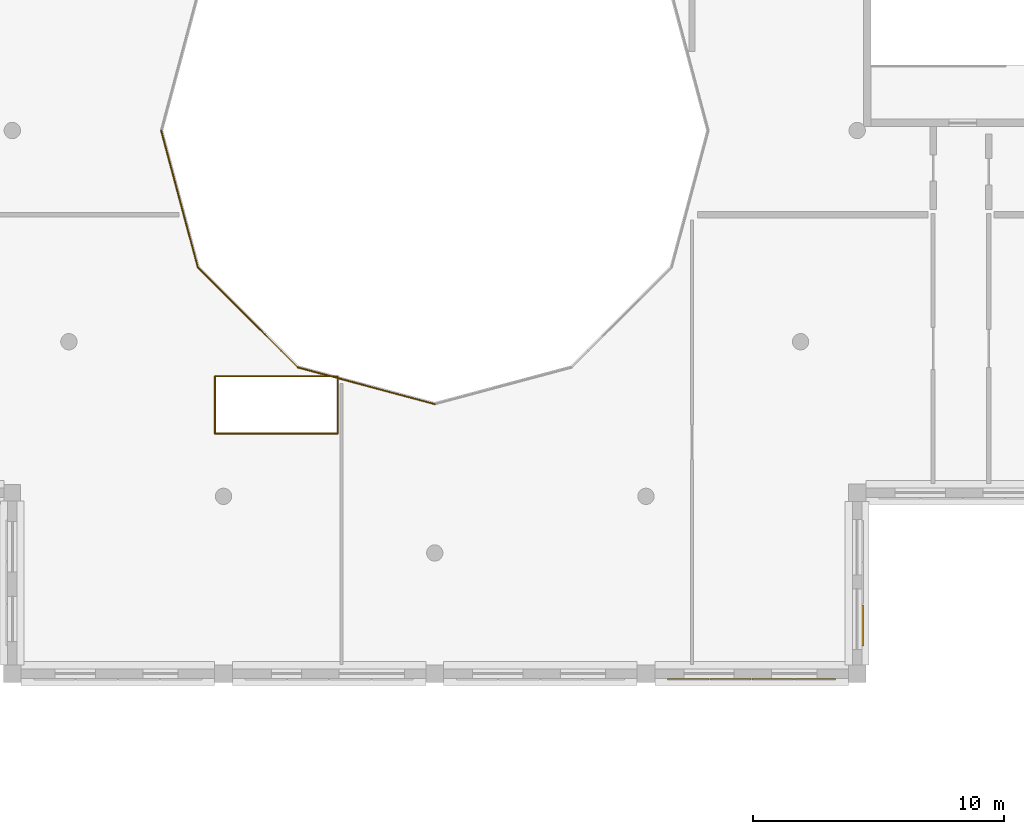
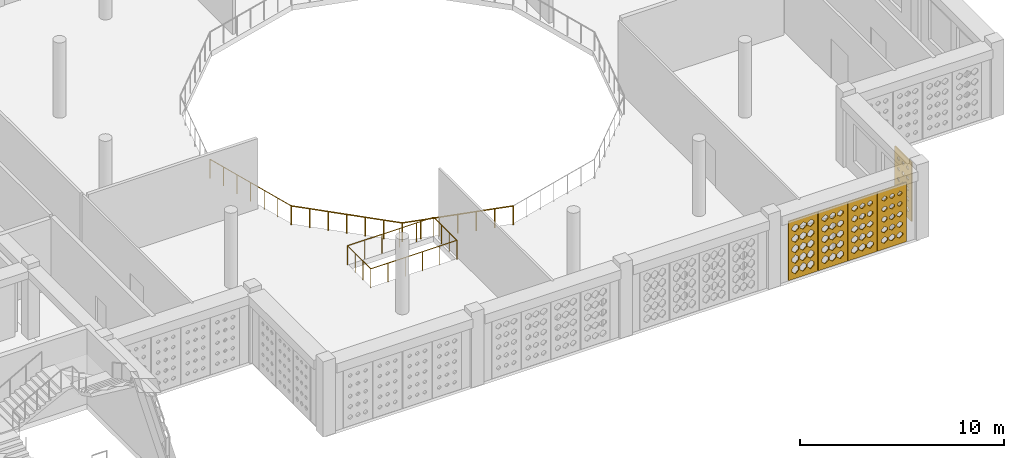
# One storey, part 36 of 47: 7 railings, 5 coverings.
"""IFC4 building model written with IfcOpenShell, lengths in metres."""

from ifc_helpers import new_model, si_unit, derived_unit, direction, frame, origin, origin_2d, place, context, subcontext, project, spatial, polyline, circle, outline, extrude, material, layer, layer_set, type_object, element, save


model = new_model("IFC4")

# Units and contexts
model_context = context("Model", 3, precision=1e-05, world=origin(), true_north=direction((0.0, 1.0)))
body_context = subcontext(model_context, "Body", "Model", "MODEL_VIEW")
ifc_project = project(units=[si_unit("LENGTHUNIT", "METRE"), si_unit("AREAUNIT", "SQUARE_METRE"), si_unit("VOLUMEUNIT", "CUBIC_METRE"), si_unit("PLANEANGLEUNIT", "RADIAN"), si_unit("MASSUNIT", "GRAM", prefix="KILO"), derived_unit("THERMALTRANSMITTANCEUNIT", [(si_unit("POWERUNIT", "WATT"), 1), (si_unit("LENGTHUNIT", "METRE"), -2), (si_unit("THERMODYNAMICTEMPERATUREUNIT", "KELVIN"), -1)])], contexts=[model_context])

# Site, building, storey
site_placement = place(None, origin())
site = spatial("IfcSite", under=ifc_project, at=site_placement, CompositionType="ELEMENT")
building_placement = place(site_placement, origin())
building = spatial("IfcBuilding", under=site, at=building_placement, Name="Veybourne Emporium", CompositionType="ELEMENT")
storey_placement = place(building_placement, frame((0.0, 0.0, 23.39990234375)))
storey = spatial("IfcBuildingStorey", under=building, at=storey_placement, Name="L05", CompositionType="ELEMENT", Elevation=23.39990234375)

# Railings
ifc_material_1 = material(Name="Patinated Architectural Bronze", Category="bronze")
railing_type = type_object("IfcRailingType", Name="Balustrade_BL-01", PredefinedType="BALUSTRADE", material=ifc_material_1)
railing_1_placement = place(storey_placement, frame((64.719970703125, 50.39990234375, 0.0)))
element("IfcRailing", 1, at=railing_1_placement, inside=storey, type_object=railing_type, Name="L05 central atrium void balustrade 07", PredefinedType="BALUSTRADE", context=body_context, shape_type="SweptSolid", body=[
    extrude(circle(Radius=0.02392578125, at=origin_2d()), frame((0.0, 0.0, 1.1259765625), z_axis=(0.258841536762, -0.965919799386, 0.0), x_axis=(0.965919799386, 0.258841536762, 0.0)), (0.0, 0.0, 1.0), 5.6318359375),
    extrude(circle(Radius=0.02099609375, at=origin_2d()), origin(), (0.0, 0.0, 1.0), 1.101806640625),
    extrude(circle(Radius=0.02099609375, at=origin_2d()), frame((0.242919921875, -0.90673828125, 0.0)), (0.0, 0.0, 1.0), 1.101806640625),
    extrude(circle(Radius=0.02099609375, at=origin_2d()), frame((0.48583984375, -1.813232421875, 0.0)), (0.0, 0.0, 1.0), 1.101806640625),
    extrude(circle(Radius=0.02099609375, at=origin_2d()), frame((0.72900390625, -2.719970703125, 0.0)), (0.0, 0.0, 1.0), 1.101806640625),
    extrude(circle(Radius=0.02099609375, at=origin_2d()), frame((0.971923828125, -3.626708984375, 0.0)), (0.0, 0.0, 1.0), 1.101806640625),
    extrude(circle(Radius=0.02099609375, at=origin_2d()), frame((1.21484375, -4.533203125, 0.0)), (0.0, 0.0, 1.0), 1.101806640625),
    extrude(circle(Radius=0.02099609375, at=origin_2d()), frame((1.457763671875, -5.43994140625, 0.0)), (0.0, 0.0, 1.0), 1.101806640625),
])
railing_2_placement = place(storey_placement, frame((66.177734375, 44.9599609375, 0.0)))
element("IfcRailing", 2, at=railing_2_placement, inside=storey, type_object=railing_type, Name="L05 central atrium void balustrade 08", PredefinedType="BALUSTRADE", context=body_context, shape_type="SweptSolid", body=[
    extrude(circle(Radius=0.02392578125, at=origin_2d()), frame((0.0, 0.0, 1.1259765625), z_axis=(0.707085105755, -0.707128455954, 0.0), x_axis=(0.707128455954, 0.707085105755, 0.0)), (0.0, 0.0, 1.0), 5.6318359375),
    extrude(circle(Radius=0.02099609375, at=origin_2d()), origin(), (0.0, 0.0, 1.0), 1.101806640625),
    extrude(circle(Radius=0.02099609375, at=origin_2d()), frame((0.66357421875, -0.663818359375, 0.0)), (0.0, 0.0, 1.0), 1.101806640625),
    extrude(circle(Radius=0.02099609375, at=origin_2d()), frame((1.327392578125, -1.327392578125, 0.0)), (0.0, 0.0, 1.0), 1.101806640625),
    extrude(circle(Radius=0.02099609375, at=origin_2d()), frame((1.9912109375, -1.9912109375, 0.0)), (0.0, 0.0, 1.0), 1.101806640625),
    extrude(circle(Radius=0.02099609375, at=origin_2d()), frame((2.65478515625, -2.655029296875, 0.0)), (0.0, 0.0, 1.0), 1.101806640625),
    extrude(circle(Radius=0.02099609375, at=origin_2d()), frame((3.318359375, -3.318603515625, 0.0)), (0.0, 0.0, 1.0), 1.101806640625),
    extrude(circle(Radius=0.02099609375, at=origin_2d()), frame((3.982177734375, -3.982421875, 0.0)), (0.0, 0.0, 1.0), 1.101806640625),
])
railing_3_placement = place(storey_placement, frame((70.159912109375, 40.9775390625, 0.0)))
element("IfcRailing", 3, at=railing_3_placement, inside=storey, type_object=railing_type, Name="L05 central atrium void balustrade 09", PredefinedType="BALUSTRADE", context=body_context, shape_type="SweptSolid", body=[
    extrude(circle(Radius=0.02392578125, at=origin_2d()), frame((0.0, 0.0, 1.1259765625), z_axis=(0.965933540312, -0.25879025426, 0.0), x_axis=(0.25879025426, 0.965933540312, 0.0)), (0.0, 0.0, 1.0), 5.632080078125),
    extrude(circle(Radius=0.02099609375, at=origin_2d()), origin(), (0.0, 0.0, 1.0), 1.101806640625),
    extrude(circle(Radius=0.02099609375, at=origin_2d()), frame((0.90673828125, -0.242919921875, 0.0)), (0.0, 0.0, 1.0), 1.101806640625),
    extrude(circle(Radius=0.02099609375, at=origin_2d()), frame((1.8134765625, -0.48583984375, 0.0)), (0.0, 0.0, 1.0), 1.101806640625),
    extrude(circle(Radius=0.02099609375, at=origin_2d()), frame((2.72021484375, -0.728759765625, 0.0)), (0.0, 0.0, 1.0), 1.101806640625),
    extrude(circle(Radius=0.02099609375, at=origin_2d()), frame((3.626708984375, -0.9716796875, 0.0)), (0.0, 0.0, 1.0), 1.101806640625),
    extrude(circle(Radius=0.02099609375, at=origin_2d()), frame((4.533447265625, -1.214599609375, 0.0)), (0.0, 0.0, 1.0), 1.101806640625),
    extrude(circle(Radius=0.02099609375, at=origin_2d()), frame((5.440185546875, -1.45751953125, 0.0)), (0.0, 0.0, 1.0), 1.101806640625),
])
railing_4_placement = place(storey_placement, frame((66.860107421875, 38.34814453125, 0.0)))
element("IfcRailing", 4, at=railing_4_placement, inside=storey, type_object=railing_type, Name="L05 escalator well balustrade 1.1", PredefinedType="BALUSTRADE", context=body_context, shape_type="SweptSolid", body=[
    extrude(circle(Radius=0.02392578125, at=origin_2d()), frame((0.0, 0.0, 1.1259765625), z_axis=(1.0, 0.0, 0.0), x_axis=(0.0, 1.0, 0.0)), (0.0, 0.0, 1.0), 4.8798828125),
    extrude(circle(Radius=0.02099609375, at=origin_2d()), origin(), (0.0, 0.0, 1.0), 1.101806640625),
    extrude(circle(Radius=0.02099609375, at=origin_2d()), frame((0.97607421875, 0.0, 0.0)), (0.0, 0.0, 1.0), 1.101806640625),
    extrude(circle(Radius=0.02099609375, at=origin_2d()), frame((1.951904296875, 0.0, 0.0)), (0.0, 0.0, 1.0), 1.101806640625),
    extrude(circle(Radius=0.02099609375, at=origin_2d()), frame((2.927978515625, 0.0, 0.0)), (0.0, 0.0, 1.0), 1.101806640625),
    extrude(circle(Radius=0.02099609375, at=origin_2d()), frame((3.90380859375, 0.0, 0.0)), (0.0, 0.0, 1.0), 1.101806640625),
    extrude(circle(Radius=0.02099609375, at=origin_2d()), frame((4.8798828125, 0.0, 0.0)), (0.0, 0.0, 1.0), 1.101806640625),
])
railing_5_placement = place(storey_placement, frame((71.739990234375, 38.34814453125, 0.0)))
element("IfcRailing", 5, at=railing_5_placement, inside=storey, type_object=railing_type, Name="L05 escalator well balustrade 1.2", PredefinedType="BALUSTRADE", context=body_context, shape_type="SweptSolid", body=[
    extrude(circle(Radius=0.02392578125, at=origin_2d()), frame((0.0, 0.0, 1.1259765625), z_axis=(0.0, 1.0, 0.0), x_axis=(-1.0, 0.0, 0.0)), (0.0, 0.0, 1.0), 2.280029296875),
    extrude(circle(Radius=0.02099609375, at=origin_2d()), origin(), (0.0, 0.0, 1.0), 1.101806640625),
    extrude(circle(Radius=0.02099609375, at=origin_2d()), frame((0.0, 0.760009765625, 0.0)), (0.0, 0.0, 1.0), 1.101806640625),
    extrude(circle(Radius=0.02099609375, at=origin_2d()), frame((0.0, 1.52001953125, 0.0)), (0.0, 0.0, 1.0), 1.101806640625),
    extrude(circle(Radius=0.02099609375, at=origin_2d()), frame((0.0, 2.280029296875, 0.0)), (0.0, 0.0, 1.0), 1.101806640625),
])
railing_6_placement = place(storey_placement, frame((71.739990234375, 40.628173828125, 0.0)))
element("IfcRailing", 6, at=railing_6_placement, inside=storey, type_object=railing_type, Name="L05 escalator well balustrade 1.3", PredefinedType="BALUSTRADE", context=body_context, shape_type="SweptSolid", body=[
    extrude(circle(Radius=0.02392578125, at=origin_2d()), frame((0.0, 0.0, 1.1259765625), z_axis=(-1.0, 0.0, 0.0), x_axis=(0.0, -1.0, 0.0)), (0.0, 0.0, 1.0), 4.8798828125),
    extrude(circle(Radius=0.02099609375, at=origin_2d()), origin(), (0.0, 0.0, 1.0), 1.101806640625),
    extrude(circle(Radius=0.02099609375, at=origin_2d()), frame((-0.97607421875, 0.0, 0.0)), (0.0, 0.0, 1.0), 1.101806640625),
    extrude(circle(Radius=0.02099609375, at=origin_2d()), frame((-1.951904296875, 0.0, 0.0)), (0.0, 0.0, 1.0), 1.101806640625),
    extrude(circle(Radius=0.02099609375, at=origin_2d()), frame((-2.927978515625, 0.0, 0.0)), (0.0, 0.0, 1.0), 1.101806640625),
    extrude(circle(Radius=0.02099609375, at=origin_2d()), frame((-3.90380859375, 0.0, 0.0)), (0.0, 0.0, 1.0), 1.101806640625),
    extrude(circle(Radius=0.02099609375, at=origin_2d()), frame((-4.8798828125, 0.0, 0.0)), (0.0, 0.0, 1.0), 1.101806640625),
])
railing_7_placement = place(storey_placement, frame((66.860107421875, 40.628173828125, 0.0)))
element("IfcRailing", 7, at=railing_7_placement, inside=storey, type_object=railing_type, Name="L05 escalator well balustrade 1.4", PredefinedType="BALUSTRADE", context=body_context, shape_type="SweptSolid", body=[
    extrude(circle(Radius=0.02392578125, at=origin_2d()), frame((0.0, 0.0, 1.1259765625), z_axis=(0.0, -1.0, 0.0), x_axis=(1.0, 0.0, 0.0)), (0.0, 0.0, 1.0), 2.280029296875),
    extrude(circle(Radius=0.02099609375, at=origin_2d()), origin(), (0.0, 0.0, 1.0), 1.101806640625),
    extrude(circle(Radius=0.02099609375, at=origin_2d()), frame((0.0, -0.760009765625, 0.0)), (0.0, 0.0, 1.0), 1.101806640625),
    extrude(circle(Radius=0.02099609375, at=origin_2d()), frame((0.0, -1.52001953125, 0.0)), (0.0, 0.0, 1.0), 1.101806640625),
    extrude(circle(Radius=0.02099609375, at=origin_2d()), frame((0.0, -2.280029296875, 0.0)), (0.0, 0.0, 1.0), 1.101806640625),
])

# Coverings
ifc_material_2 = material(Name="Warm-White Perforated Aluminium Screen Alloy", Category="aluminium")
ifc_layer_1 = layer(ifc_material_2, 0.06005859375)
ifc_layer_set_1 = layer_set([ifc_layer_1], Name="Warm-White Perforated Aluminium Screen Alloy")
covering_type_1 = type_object("IfcCoveringType", Name="WaveScreen_SCR-01", PredefinedType="CLADDING", material=ifc_layer_set_1)
covering_1_placement = place(storey_placement, frame((85.679931640625, 28.552001953125, 1.830078125), z_axis=(0.0, 1.0, 0.0), x_axis=(-1.0, 0.0, 0.0)))
element("IfcCovering", 8, at=covering_1_placement, inside=storey, type_object=covering_type_1, Name="L05 wave-perforated aluminium screen SCR-01 (47.4)", PredefinedType="CLADDING", context=body_context, shape_type="SweptSolid", body=[
    extrude(outline(polyline([(-0.81982421875, -1.77001953125), (0.81982421875, -1.77001953125), (0.81982421875, 1.77001953125), (-0.81982421875, 1.77001953125), (-0.81982421875, -1.77001953125)]), holes=[polyline([(-0.433349609375, -0.982421875), (-0.2470703125, -1.147216796875), (-0.2470703125, -1.332763671875), (-0.433349609375, -1.497802734375), (-0.61962890625, -1.332763671875), (-0.61962890625, -1.147216796875), (-0.433349609375, -0.982421875)]), polyline([(-0.433349609375, -0.3720703125), (-0.2470703125, -0.53076171875), (-0.2470703125, -0.709228515625), (-0.433349609375, -0.867919921875), (-0.61962890625, -0.709228515625), (-0.61962890625, -0.53076171875), (-0.433349609375, -0.3720703125)]), polyline([(-0.433349609375, 0.23681640625), (-0.2470703125, 0.085205078125), (-0.2470703125, -0.085205078125), (-0.433349609375, -0.23681640625), (-0.61962890625, -0.085205078125), (-0.61962890625, 0.085205078125), (-0.433349609375, 0.23681640625)]), polyline([(-0.433349609375, 0.843994140625), (-0.2470703125, 0.70068359375), (-0.2470703125, 0.539306640625), (-0.433349609375, 0.39599609375), (-0.61962890625, 0.539306640625), (-0.61962890625, 0.70068359375), (-0.433349609375, 0.843994140625)]), polyline([(-0.433349609375, 1.4501953125), (-0.251220703125, 1.315673828125), (-0.251220703125, 1.164306640625), (-0.433349609375, 1.02978515625), (-0.615478515625, 1.164306640625), (-0.615478515625, 1.315673828125), (-0.433349609375, 1.4501953125)]), polyline([(0.0, -0.978515625), (0.186279296875, -1.14599609375), (0.186279296875, -1.333984375), (0.0, -1.50146484375), (-0.186279296875, -1.333984375), (-0.186279296875, -1.14599609375), (0.0, -0.978515625)]), polyline([(0.0, -0.367431640625), (0.186279296875, -0.529052734375), (0.186279296875, -0.7109375), (0.0, -0.87255859375), (-0.186279296875, -0.7109375), (-0.186279296875, -0.529052734375), (0.0, -0.367431640625)]), polyline([(0.0, 0.241943359375), (0.186279296875, 0.087158203125), (0.186279296875, -0.087158203125), (0.0, -0.241943359375), (-0.186279296875, -0.087158203125), (-0.186279296875, 0.087158203125), (0.0, 0.241943359375)]), polyline([(0.0, 0.849853515625), (0.186279296875, 0.70263671875), (0.186279296875, 0.537353515625), (0.0, 0.39013671875), (-0.186279296875, 0.537353515625), (-0.186279296875, 0.70263671875), (0.0, 0.849853515625)]), polyline([(0.0, 1.45654296875), (0.186279296875, 1.318115234375), (0.186279296875, 1.162109375), (0.0, 1.0234375), (-0.186279296875, 1.162109375), (-0.186279296875, 1.318115234375), (0.0, 1.45654296875)]), polyline([(0.433349609375, -0.97509765625), (0.61962890625, -1.144775390625), (0.61962890625, -1.335205078125), (0.433349609375, -1.5048828125), (0.2470703125, -1.335205078125), (0.2470703125, -1.144775390625), (0.433349609375, -0.97509765625)]), polyline([(0.433349609375, -0.36328125), (0.61962890625, -0.527587890625), (0.61962890625, -0.71240234375), (0.433349609375, -0.876708984375), (0.2470703125, -0.71240234375), (0.2470703125, -0.527587890625), (0.433349609375, -0.36328125)]), polyline([(0.433349609375, 0.246826171875), (0.61962890625, 0.0888671875), (0.61962890625, -0.0888671875), (0.433349609375, -0.246826171875), (0.2470703125, -0.0888671875), (0.2470703125, 0.0888671875), (0.433349609375, 0.246826171875)]), polyline([(0.433349609375, 0.85546875), (0.61962890625, 0.704833984375), (0.61962890625, 0.53515625), (0.433349609375, 0.384521484375), (0.2470703125, 0.53515625), (0.2470703125, 0.704833984375), (0.433349609375, 0.85546875)]), polyline([(0.433349609375, 1.462646484375), (0.61962890625, 1.320068359375), (0.61962890625, 1.159912109375), (0.433349609375, 1.017333984375), (0.2470703125, 1.159912109375), (0.2470703125, 1.320068359375), (0.433349609375, 1.462646484375)])]), origin(), (0.0, 0.0, 1.0), 0.06005859375),
])
covering_2_placement = place(storey_placement, frame((92.64794921875, 30.719970703125, 1.830078125), z_axis=(-1.0, 0.0, 0.0), x_axis=(0.0, -1.0, 0.0)))
element("IfcCovering", 9, at=covering_2_placement, inside=storey, type_object=covering_type_1, Name="L05 wave-perforated aluminium screen SCR-01 (48.3)", PredefinedType="CLADDING", context=body_context, shape_type="SweptSolid", body=[
    extrude(outline(polyline([(-0.81982421875, -1.77001953125), (0.81982421875, -1.77001953125), (0.81982421875, 1.77001953125), (-0.81982421875, 1.77001953125), (-0.81982421875, -1.77001953125)]), holes=[polyline([(-0.433349609375, -1.10205078125), (-0.310302734375, -1.190185546875), (-0.310302734375, -1.289794921875), (-0.433349609375, -1.3779296875), (-0.55615234375, -1.289794921875), (-0.55615234375, -1.190185546875), (-0.433349609375, -1.10205078125)]), polyline([(-0.433349609375, -0.491943359375), (-0.318603515625, -0.573974609375), (-0.318603515625, -0.666015625), (-0.433349609375, -0.748046875), (-0.548095703125, -0.666015625), (-0.548095703125, -0.573974609375), (-0.433349609375, -0.491943359375)]), polyline([(-0.433349609375, 0.1201171875), (-0.324951171875, 0.043212890625), (-0.324951171875, -0.043212890625), (-0.433349609375, -0.1201171875), (-0.541748046875, -0.043212890625), (-0.541748046875, 0.043212890625), (-0.433349609375, 0.1201171875)]), polyline([(-0.433349609375, 0.734375), (-0.32958984375, 0.6611328125), (-0.32958984375, 0.578857421875), (-0.433349609375, 0.505615234375), (-0.536865234375, 0.578857421875), (-0.536865234375, 0.6611328125), (-0.433349609375, 0.734375)]), polyline([(-0.433349609375, 1.35107421875), (-0.33251953125, 1.280029296875), (-0.33251953125, 1.199951171875), (-0.433349609375, 1.12890625), (-0.5341796875, 1.199951171875), (-0.5341796875, 1.280029296875), (-0.433349609375, 1.35107421875)]), polyline([(0.0, -1.096923828125), (0.126953125, -1.1884765625), (0.126953125, -1.29150390625), (0.0, -1.383056640625), (-0.126953125, -1.29150390625), (-0.126953125, -1.1884765625), (0.0, -1.096923828125)]), polyline([(0.0, -0.48779296875), (0.118408203125, -0.572509765625), (0.118408203125, -0.66748046875), (0.0, -0.752197265625), (-0.118408203125, -0.66748046875), (-0.118408203125, -0.572509765625), (0.0, -0.48779296875)]), polyline([(0.0, 0.12353515625), (0.111083984375, 0.04443359375), (0.111083984375, -0.04443359375), (0.0, -0.12353515625), (-0.111083984375, -0.04443359375), (-0.111083984375, 0.04443359375), (0.0, 0.12353515625)]), polyline([(0.0, 0.73681640625), (0.10546875, 0.662109375), (0.10546875, 0.577880859375), (0.0, 0.50341796875), (-0.10546875, 0.577880859375), (-0.10546875, 0.662109375), (0.0, 0.73681640625)]), polyline([(0.0, 1.352294921875), (0.101806640625, 1.280517578125), (0.101806640625, 1.19970703125), (0.0, 1.127685546875), (-0.101806640625, 1.19970703125), (-0.101806640625, 1.280517578125), (0.0, 1.352294921875)]), polyline([(0.433349609375, -1.091796875), (0.564697265625, -1.1865234375), (0.564697265625, -1.29345703125), (0.433349609375, -1.38818359375), (0.302001953125, -1.29345703125), (0.302001953125, -1.1865234375), (0.433349609375, -1.091796875)]), polyline([(0.433349609375, -0.483154296875), (0.555419921875, -0.57080078125), (0.555419921875, -0.669189453125), (0.433349609375, -0.7568359375), (0.311279296875, -0.669189453125), (0.311279296875, -0.57080078125), (0.433349609375, -0.483154296875)]), polyline([(0.433349609375, 0.127197265625), (0.54736328125, 0.0458984375), (0.54736328125, -0.0458984375), (0.433349609375, -0.127197265625), (0.319091796875, -0.0458984375), (0.319091796875, 0.0458984375), (0.433349609375, 0.127197265625)]), polyline([(0.433349609375, 0.739501953125), (0.541015625, 0.6630859375), (0.541015625, 0.576904296875), (0.433349609375, 0.50048828125), (0.32568359375, 0.576904296875), (0.32568359375, 0.6630859375), (0.433349609375, 0.739501953125)]), polyline([(0.433349609375, 1.35400390625), (0.53662109375, 1.281005859375), (0.53662109375, 1.198974609375), (0.433349609375, 1.126220703125), (0.330078125, 1.198974609375), (0.330078125, 1.281005859375), (0.433349609375, 1.35400390625)])]), origin(), (0.0, 0.0, 1.0), 0.06005859375),
])
ifc_layer_2 = layer(ifc_material_2, 0.06005859375)
ifc_layer_set_2 = layer_set([ifc_layer_2], Name="Warm-White Perforated Aluminium Screen Alloy")
covering_type_2 = type_object("IfcCoveringType", Name="WaveScreen_SCR-02", PredefinedType="CLADDING", material=ifc_layer_set_2)
covering_3_placement = place(storey_placement, frame((90.719970703125, 28.552001953125, 1.830078125), z_axis=(0.0, 1.0, 0.0), x_axis=(-1.0, 0.0, 0.0)))
element("IfcCovering", 10, at=covering_3_placement, inside=storey, type_object=covering_type_2, Name="L05 wave-perforated aluminium screen SCR-02 (47.1)", PredefinedType="CLADDING", context=body_context, shape_type="SweptSolid", body=[
    extrude(outline(polyline([(-0.81982421875, -1.77001953125), (0.81982421875, -1.77001953125), (0.81982421875, 1.77001953125), (-0.81982421875, 1.77001953125), (-0.81982421875, -1.77001953125)]), holes=[polyline([(-0.433349609375, -1.047119140625), (-0.265380859375, -1.170654296875), (-0.265380859375, -1.309326171875), (-0.433349609375, -1.432861328125), (-0.601318359375, -1.309326171875), (-0.601318359375, -1.170654296875), (-0.433349609375, -1.047119140625)]), polyline([(-0.433349609375, -0.44140625), (-0.277099609375, -0.5556640625), (-0.277099609375, -0.684326171875), (-0.433349609375, -0.798583984375), (-0.589599609375, -0.684326171875), (-0.589599609375, -0.5556640625), (-0.433349609375, -0.44140625)]), polyline([(-0.433349609375, 0.164794921875), (-0.28857421875, 0.059326171875), (-0.28857421875, -0.059326171875), (-0.433349609375, -0.164794921875), (-0.578125, -0.059326171875), (-0.578125, 0.059326171875), (-0.433349609375, 0.164794921875)]), polyline([(-0.433349609375, 0.771728515625), (-0.299072265625, 0.674560546875), (-0.299072265625, 0.5654296875), (-0.433349609375, 0.46826171875), (-0.5673828125, 0.5654296875), (-0.5673828125, 0.674560546875), (-0.433349609375, 0.771728515625)]), polyline([(-0.433349609375, 1.3798828125), (-0.308837890625, 1.290283203125), (-0.308837890625, 1.189697265625), (-0.433349609375, 1.10009765625), (-0.557861328125, 1.189697265625), (-0.557861328125, 1.290283203125), (-0.433349609375, 1.3798828125)]), polyline([(0.0, -1.040771484375), (0.173095703125, -1.168212890625), (0.173095703125, -1.311767578125), (0.0, -1.439208984375), (-0.173095703125, -1.311767578125), (-0.173095703125, -1.168212890625), (0.0, -1.040771484375)]), polyline([(0.0, -0.43505859375), (0.161376953125, -0.553466796875), (0.161376953125, -0.6865234375), (0.0, -0.804931640625), (-0.161376953125, -0.6865234375), (-0.161376953125, -0.553466796875), (0.0, -0.43505859375)]), polyline([(0.0, 0.1708984375), (0.14990234375, 0.0615234375), (0.14990234375, -0.0615234375), (0.0, -0.1708984375), (-0.14990234375, -0.0615234375), (-0.14990234375, 0.0615234375), (0.0, 0.1708984375)]), polyline([(0.0, 0.777587890625), (0.138916015625, 0.6767578125), (0.138916015625, 0.563232421875), (0.0, 0.46240234375), (-0.138916015625, 0.563232421875), (-0.138916015625, 0.6767578125), (0.0, 0.777587890625)]), polyline([(0.0, 1.385009765625), (0.128662109375, 1.292236328125), (0.128662109375, 1.187744140625), (0.0, 1.094970703125), (-0.128662109375, 1.187744140625), (-0.128662109375, 1.292236328125), (0.0, 1.385009765625)]), polyline([(0.433349609375, -1.0341796875), (0.611572265625, -1.166015625), (0.611572265625, -1.314208984375), (0.433349609375, -1.44580078125), (0.2548828125, -1.314208984375), (0.2548828125, -1.166015625), (0.433349609375, -1.0341796875)]), polyline([(0.433349609375, -0.4287109375), (0.60009765625, -0.551025390625), (0.60009765625, -0.68896484375), (0.433349609375, -0.811279296875), (0.2666015625, -0.68896484375), (0.2666015625, -0.551025390625), (0.433349609375, -0.4287109375)]), polyline([(0.433349609375, 0.17724609375), (0.58837890625, 0.063720703125), (0.58837890625, -0.063720703125), (0.433349609375, -0.17724609375), (0.2783203125, -0.063720703125), (0.2783203125, 0.063720703125), (0.433349609375, 0.17724609375)]), polyline([(0.433349609375, 0.783447265625), (0.5771484375, 0.6787109375), (0.5771484375, 0.561279296875), (0.433349609375, 0.45654296875), (0.28955078125, 0.561279296875), (0.28955078125, 0.6787109375), (0.433349609375, 0.783447265625)]), polyline([(0.433349609375, 1.390380859375), (0.56640625, 1.294189453125), (0.56640625, 1.185791015625), (0.433349609375, 1.089599609375), (0.30029296875, 1.185791015625), (0.30029296875, 1.294189453125), (0.433349609375, 1.390380859375)])]), origin(), (0.0, 0.0, 1.0), 0.06005859375),
])
ifc_layer_3 = layer(ifc_material_2, 0.06005859375)
ifc_layer_set_3 = layer_set([ifc_layer_3], Name="Warm-White Perforated Aluminium Screen Alloy")
covering_type_3 = type_object("IfcCoveringType", Name="WaveScreen_SCR-03", PredefinedType="CLADDING", material=ifc_layer_set_3)
covering_4_placement = place(storey_placement, frame((89.0400390625, 28.552001953125, 1.830078125), z_axis=(0.0, 1.0, 0.0), x_axis=(-1.0, 0.0, 0.0)))
element("IfcCovering", 11, at=covering_4_placement, inside=storey, type_object=covering_type_3, Name="L05 wave-perforated aluminium screen SCR-03 (47.2)", PredefinedType="CLADDING", context=body_context, shape_type="SweptSolid", body=[
    extrude(outline(polyline([(-0.81982421875, -1.77001953125), (0.81982421875, -1.77001953125), (0.81982421875, 1.77001953125), (-0.81982421875, 1.77001953125), (-0.81982421875, -1.77001953125)]), holes=[polyline([(-0.433349609375, -1.022705078125), (-0.2470703125, -1.16162109375), (-0.2470703125, -1.318359375), (-0.433349609375, -1.45751953125), (-0.61962890625, -1.318359375), (-0.61962890625, -1.16162109375), (-0.433349609375, -1.022705078125)]), polyline([(-0.433349609375, -0.41650390625), (-0.2568359375, -0.546630859375), (-0.2568359375, -0.693359375), (-0.433349609375, -0.823486328125), (-0.60986328125, -0.693359375), (-0.60986328125, -0.546630859375), (-0.433349609375, -0.41650390625)]), polyline([(-0.433349609375, 0.189208984375), (-0.2685546875, 0.068115234375), (-0.2685546875, -0.068115234375), (-0.433349609375, -0.189208984375), (-0.59814453125, -0.068115234375), (-0.59814453125, 0.068115234375), (-0.433349609375, 0.189208984375)]), polyline([(-0.433349609375, 0.794921875), (-0.280029296875, 0.68310546875), (-0.280029296875, 0.556884765625), (-0.433349609375, 0.445068359375), (-0.58642578125, 0.556884765625), (-0.58642578125, 0.68310546875), (-0.433349609375, 0.794921875)]), polyline([(-0.433349609375, 1.4013671875), (-0.291259765625, 1.298095703125), (-0.291259765625, 1.181884765625), (-0.433349609375, 1.07861328125), (-0.5751953125, 1.181884765625), (-0.5751953125, 1.298095703125), (-0.433349609375, 1.4013671875)]), polyline([(0.0, -1.0166015625), (0.186279296875, -1.159423828125), (0.186279296875, -1.320556640625), (0.0, -1.46337890625), (-0.186279296875, -1.320556640625), (-0.186279296875, -1.159423828125), (0.0, -1.0166015625)]), polyline([(0.0, -0.41015625), (0.181640625, -0.54443359375), (0.181640625, -0.695556640625), (0.0, -0.829833984375), (-0.181640625, -0.695556640625), (-0.181640625, -0.54443359375), (0.0, -0.41015625)]), polyline([(0.0, 0.195556640625), (0.170166015625, 0.0703125), (0.170166015625, -0.0703125), (0.0, -0.195556640625), (-0.170166015625, -0.0703125), (-0.170166015625, 0.0703125), (0.0, 0.195556640625)]), polyline([(0.0, 0.80126953125), (0.158447265625, 0.685302734375), (0.158447265625, 0.5546875), (0.0, 0.438720703125), (-0.158447265625, 0.5546875), (-0.158447265625, 0.685302734375), (0.0, 0.80126953125)]), polyline([(0.0, 1.407470703125), (0.14697265625, 1.30029296875), (0.14697265625, 1.1796875), (0.0, 1.072509765625), (-0.14697265625, 1.1796875), (-0.14697265625, 1.30029296875), (0.0, 1.407470703125)]), polyline([(0.433349609375, -1.010498046875), (0.61962890625, -1.157470703125), (0.61962890625, -1.322509765625), (0.433349609375, -1.469482421875), (0.2470703125, -1.322509765625), (0.2470703125, -1.157470703125), (0.433349609375, -1.010498046875)]), polyline([(0.433349609375, -0.40380859375), (0.61962890625, -0.542236328125), (0.61962890625, -0.69775390625), (0.433349609375, -0.836181640625), (0.2470703125, -0.69775390625), (0.2470703125, -0.542236328125), (0.433349609375, -0.40380859375)]), polyline([(0.433349609375, 0.201904296875), (0.608642578125, 0.07275390625), (0.608642578125, -0.07275390625), (0.433349609375, -0.201904296875), (0.258056640625, -0.07275390625), (0.258056640625, 0.07275390625), (0.433349609375, 0.201904296875)]), polyline([(0.433349609375, 0.8076171875), (0.596923828125, 0.6875), (0.596923828125, 0.552490234375), (0.433349609375, 0.432373046875), (0.269775390625, 0.552490234375), (0.269775390625, 0.6875), (0.433349609375, 0.8076171875)]), polyline([(0.433349609375, 1.41357421875), (0.58544921875, 1.302490234375), (0.58544921875, 1.177490234375), (0.433349609375, 1.06640625), (0.28125, 1.177490234375), (0.28125, 1.302490234375), (0.433349609375, 1.41357421875)])]), origin(), (0.0, 0.0, 1.0), 0.06005859375),
])
ifc_layer_4 = layer(ifc_material_2, 0.06005859375)
ifc_layer_set_4 = layer_set([ifc_layer_4], Name="Warm-White Perforated Aluminium Screen Alloy")
covering_type_4 = type_object("IfcCoveringType", Name="WaveScreen_SCR-04", PredefinedType="CLADDING", material=ifc_layer_set_4)
covering_5_placement = place(storey_placement, frame((87.360107421875, 28.552001953125, 1.830078125), z_axis=(0.0, 1.0, 0.0), x_axis=(-1.0, 0.0, 0.0)))
element("IfcCovering", 12, at=covering_5_placement, inside=storey, type_object=covering_type_4, Name="L05 wave-perforated aluminium screen SCR-04 (47.3)", PredefinedType="CLADDING", context=body_context, shape_type="SweptSolid", body=[
    extrude(outline(polyline([(-0.81982421875, -1.77001953125), (0.81982421875, -1.77001953125), (0.81982421875, 1.77001953125), (-0.81982421875, 1.77001953125), (-0.81982421875, -1.77001953125)]), holes=[polyline([(-0.433349609375, -1.000244140625), (-0.2470703125, -1.15380859375), (-0.2470703125, -1.326416015625), (-0.433349609375, -1.479736328125), (-0.61962890625, -1.326416015625), (-0.61962890625, -1.15380859375), (-0.433349609375, -1.000244140625)]), polyline([(-0.433349609375, -0.392578125), (-0.2470703125, -0.5380859375), (-0.2470703125, -0.701904296875), (-0.433349609375, -0.847412109375), (-0.61962890625, -0.701904296875), (-0.61962890625, -0.5380859375), (-0.433349609375, -0.392578125)]), polyline([(-0.433349609375, 0.2138671875), (-0.248291015625, 0.076904296875), (-0.248291015625, -0.076904296875), (-0.433349609375, -0.2138671875), (-0.618408203125, -0.076904296875), (-0.618408203125, 0.076904296875), (-0.433349609375, 0.2138671875)]), polyline([(-0.433349609375, 0.81982421875), (-0.259765625, 0.69189453125), (-0.259765625, 0.548095703125), (-0.433349609375, 0.420166015625), (-0.606689453125, 0.548095703125), (-0.606689453125, 0.69189453125), (-0.433349609375, 0.81982421875)]), polyline([(-0.433349609375, 1.425537109375), (-0.271484375, 1.306884765625), (-0.271484375, 1.173095703125), (-0.433349609375, 1.054443359375), (-0.59521484375, 1.173095703125), (-0.59521484375, 1.306884765625), (-0.433349609375, 1.425537109375)]), polyline([(0.0, -0.9951171875), (0.186279296875, -1.15185546875), (0.186279296875, -1.328125), (0.0, -1.48486328125), (-0.186279296875, -1.328125), (-0.186279296875, -1.15185546875), (0.0, -0.9951171875)]), polyline([(0.0, -0.386962890625), (0.186279296875, -0.5361328125), (0.186279296875, -0.703857421875), (0.0, -0.85302734375), (-0.186279296875, -0.703857421875), (-0.186279296875, -0.5361328125), (0.0, -0.386962890625)]), polyline([(0.0, 0.219970703125), (0.186279296875, 0.0791015625), (0.186279296875, -0.0791015625), (0.0, -0.219970703125), (-0.186279296875, -0.0791015625), (-0.186279296875, 0.0791015625), (0.0, 0.219970703125)]), polyline([(0.0, 0.826171875), (0.1787109375, 0.694091796875), (0.1787109375, 0.5458984375), (0.0, 0.413818359375), (-0.1787109375, 0.5458984375), (-0.1787109375, 0.694091796875), (0.0, 0.826171875)]), polyline([(0.0, 1.431884765625), (0.1669921875, 1.30908203125), (0.1669921875, 1.1708984375), (0.0, 1.048095703125), (-0.1669921875, 1.1708984375), (-0.1669921875, 1.30908203125), (0.0, 1.431884765625)]), polyline([(0.433349609375, -0.990234375), (0.61962890625, -1.150146484375), (0.61962890625, -1.329833984375), (0.433349609375, -1.48974609375), (0.2470703125, -1.329833984375), (0.2470703125, -1.150146484375), (0.433349609375, -0.990234375)]), polyline([(0.433349609375, -0.381591796875), (0.61962890625, -0.5341796875), (0.61962890625, -0.705810546875), (0.433349609375, -0.8583984375), (0.2470703125, -0.705810546875), (0.2470703125, -0.5341796875), (0.433349609375, -0.381591796875)]), polyline([(0.433349609375, 0.22607421875), (0.61962890625, 0.081298828125), (0.61962890625, -0.081298828125), (0.433349609375, -0.22607421875), (0.2470703125, -0.081298828125), (0.2470703125, 0.081298828125), (0.433349609375, 0.22607421875)]), polyline([(0.433349609375, 0.83251953125), (0.6171875, 0.696533203125), (0.6171875, 0.54345703125), (0.433349609375, 0.407470703125), (0.24951171875, 0.54345703125), (0.24951171875, 0.696533203125), (0.433349609375, 0.83251953125)]), polyline([(0.433349609375, 1.4384765625), (0.605712890625, 1.311279296875), (0.605712890625, 1.168701171875), (0.433349609375, 1.04150390625), (0.260986328125, 1.168701171875), (0.260986328125, 1.311279296875), (0.433349609375, 1.4384765625)])]), origin(), (0.0, 0.0, 1.0), 0.06005859375),
])

save(model, "model.ifc")
